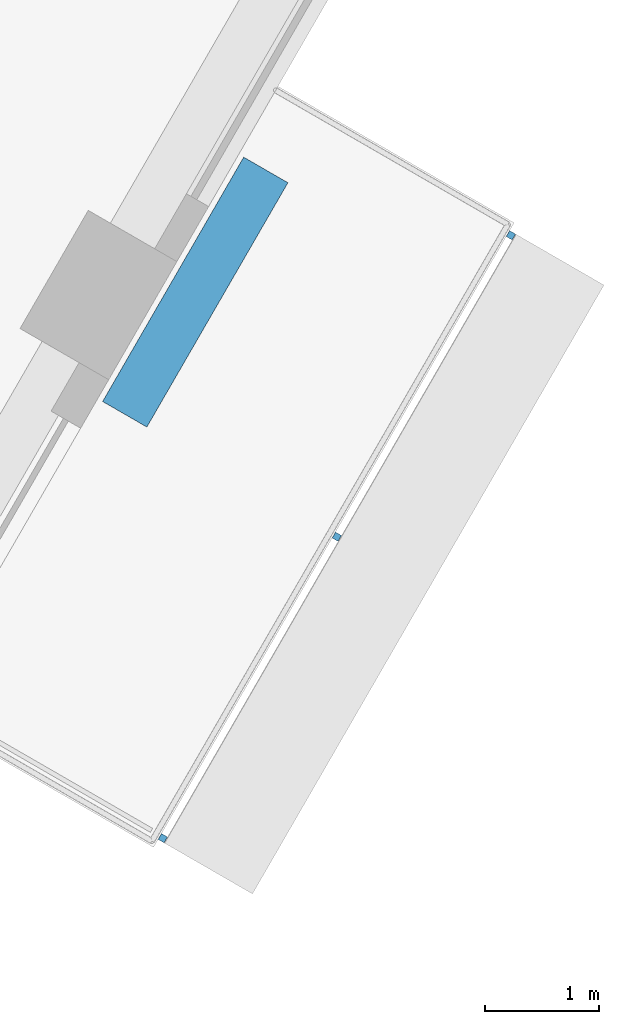
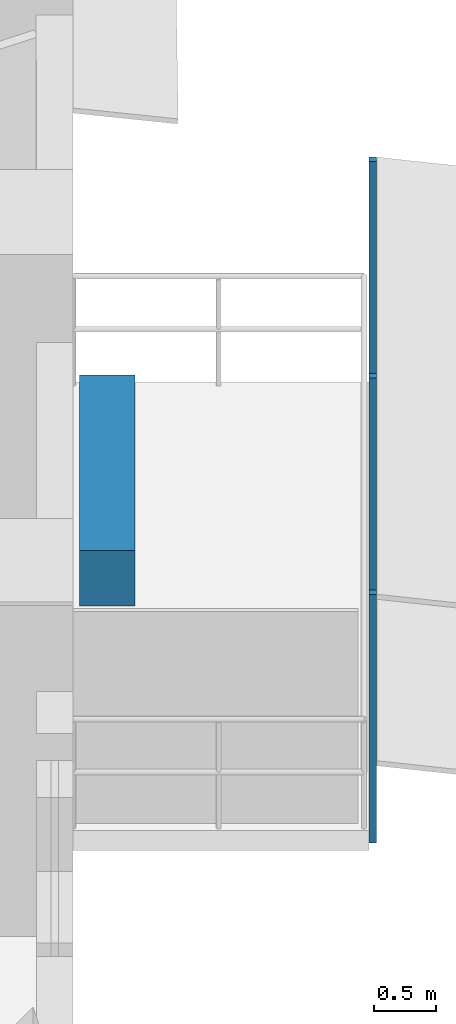
# One storey, part 11 of 15: 4 discrete accessories.
"""IFC4 building model written with IfcOpenShell, lengths in metres."""

import ifcopenshell
import ifcopenshell.guid

model = None  # the IFC model being written
_history = None  # IfcOwnerHistory: only IFC2X3 demands one
_inside = {}  # id of a spatial element -> (the spatial element, [elements in it])
_under = {}  # id of a project, library or spatial element -> (it, [spatial elements below it])
_declared = {}  # id of a project -> (the project, [libraries it declares])
_typed = {}  # id of a type object -> (the type object, [elements of that type])
_made_of = {}  # id of a material, layer set ... -> (it, [elements and type objects made of it])


def new_model(schema):
    """Start an empty IFC model of exactly this schema.

    Asked for "IFC4X3", IfcOpenShell would pick the latest addendum, in which some entities
    have other attributes; the version numbers below select the first issue.
    IFC2X3 requires an IfcOwnerHistory on every rooted entity: one is made here for all.
    """
    global model, _history
    if schema == "IFC4X3":
        model = ifcopenshell.file(schema_version=(4, 3, 0, 0))
    else:
        model = ifcopenshell.file(schema=schema)
    _inside.clear()
    _under.clear()
    _declared.clear()
    _typed.clear()
    _made_of.clear()
    _history = None
    if model.schema == "IFC2X3":
        org = make("IfcOrganization", Name="unknown")
        user = make(
            "IfcPersonAndOrganization",
            ThePerson=make("IfcPerson", FamilyName="unknown"),
            TheOrganization=org,
        )
        app = make(
            "IfcApplication",
            ApplicationDeveloper=org,
            Version="unknown",
            ApplicationFullName="unknown",
            ApplicationIdentifier="unknown",
        )
        _history = make(
            "IfcOwnerHistory",
            OwningUser=user,
            OwningApplication=app,
            ChangeAction="ADDED",
            CreationDate=0,
        )
    return model


def make(cls, **values):
    """One entity of the class cls with the attributes given. An attribute that is None is left unset."""
    return model.create_entity(
        cls, **{name: value for name, value in values.items() if value is not None}
    )


def rooted(cls, **values):
    """An entity with a GlobalId (a new one), such as an element, a storey or a relation."""
    return make(cls, GlobalId=ifcopenshell.guid.new(), OwnerHistory=_history, **values)


def si_unit(unit_type, name, prefix=None):
    """IfcSIUnit, for example si_unit("LENGTHUNIT", "METRE", prefix="MILLI")."""
    return make("IfcSIUnit", UnitType=unit_type, Prefix=prefix, Name=name)


def assignment(units):
    """IfcUnitAssignment: the units of a project."""
    return None if units is None else make("IfcUnitAssignment", Units=units)


def point(xyz):
    """IfcCartesianPoint."""
    return None if xyz is None else make("IfcCartesianPoint", Coordinates=xyz)


def direction(xyz):
    """IfcDirection."""
    return None if xyz is None else make("IfcDirection", DirectionRatios=xyz)


def frame(location, z_axis=None, x_axis=None):
    """IfcAxis2Placement3D, a coordinate frame: its origin and axes. An axis left out is left unset."""
    return make(
        "IfcAxis2Placement3D",
        Location=point(location),
        Axis=direction(z_axis),
        RefDirection=direction(x_axis),
    )


def frame_2d(location, x_axis=None):
    """IfcAxis2Placement2D, a coordinate frame in the plane: its origin and x axis."""
    return make(
        "IfcAxis2Placement2D", Location=point(location), RefDirection=direction(x_axis)
    )


def origin():
    """The frame at (0, 0, 0) with its axes left unset."""
    return frame((0.0, 0.0, 0.0))


def origin_2d():
    """The frame at (0, 0) in the plane with its x axis left unset."""
    return frame_2d((0.0, 0.0))


def place(relative_to, where):
    """IfcLocalPlacement: puts the frame where relative to a parent placement (None: the world)."""
    return make(
        "IfcLocalPlacement", PlacementRelTo=relative_to, RelativePlacement=where
    )


def context(
    kind, dimensions, precision=None, world=None, true_north=None, identifier=None
):
    """IfcGeometricRepresentationContext, for example the 3D "Model" context."""
    return make(
        "IfcGeometricRepresentationContext",
        ContextIdentifier=identifier,
        ContextType=kind,
        CoordinateSpaceDimension=dimensions,
        Precision=precision,
        WorldCoordinateSystem=world,
        TrueNorth=true_north,
    )


def subcontext(parent, identifier, kind, view, scale=None):
    """IfcGeometricRepresentationSubContext, for example "Body" below "Model"."""
    return make(
        "IfcGeometricRepresentationSubContext",
        ContextIdentifier=identifier,
        ContextType=kind,
        ParentContext=parent,
        TargetScale=scale,
        TargetView=view,
    )


def project(units=None, contexts=None):
    """IfcProject with its units and contexts."""
    return rooted(
        "IfcProject",
        Name="project",
        RepresentationContexts=contexts,
        UnitsInContext=assignment(units),
    )


def spatial(cls, under=None, at=None, **own):
    """A site, building, storey or space (cls), placed at a placement, below another one or the project."""
    s = rooted(cls, ObjectPlacement=at, **own)
    if under is not None:
        _under.setdefault(under.id(), (under, []))[1].append(s)
    return s


def profile(cls, at=None, kind="AREA", **sizes):
    """A parametric profile (cls). Its sizes go by their IFC names, for example OverallWidth=200.0."""
    return make(cls, ProfileType=kind, Position=at, **sizes)


def rectangle(**sizes):
    """IfcRectangleProfileDef."""
    return profile("IfcRectangleProfileDef", **sizes)


def extrude(swept, where, along, depth):
    """IfcExtrudedAreaSolid: the profile swept, set in the frame where, extruded along a direction by depth."""
    return make(
        "IfcExtrudedAreaSolid",
        SweptArea=swept,
        Position=where,
        ExtrudedDirection=direction(along),
        Depth=depth,
    )


def shape(context_of_items, identifier, shape_type, items):
    """IfcShapeRepresentation: the items that make up one representation, for example the "Body"."""
    return make(
        "IfcShapeRepresentation",
        ContextOfItems=context_of_items,
        RepresentationIdentifier=identifier,
        RepresentationType=shape_type,
        Items=items,
    )


def material(Name=None, Category=None):
    """IfcMaterial."""
    return make("IfcMaterial", Name=Name, Category=Category)


def made_of(thing, what):
    """Note that an element or type object is made of a material, layer set ...; save() writes the relation."""
    if what is not None:
        _made_of.setdefault(what.id(), (what, []))[1].append(thing)
    return thing


def type_object(cls, material=None, **own):
    """A type object (cls), such as IfcWallType, which elements share."""
    return made_of(rooted(cls, **own), material)


def element(
    cls,
    number,
    at=None,
    inside=None,
    cuts=None,
    type_object=None,
    material=None,
    context=None,
    identifier="Body",
    shape_type=None,
    held_by="IfcProductDefinitionShape",
    body=None,
    shapes=None,
    **own,
):
    """One element of the class cls, such as IfcWall. Its Tag is "e" and its number.

    at: its placement. inside: the storey or other place that contains it. cuts: it is an
    opening in that element (IfcRelVoidsElement). A single representation is given by context,
    identifier, shape_type and body (its items); several are given by shapes. held_by: the class
    of the entity that holds the representations. save() writes the other relations.
    """
    e = rooted(cls, Tag="e%d" % number, ObjectPlacement=at, **own)
    if body is not None:
        shapes = [shape(context, identifier, shape_type, body)]
    if shapes is not None:
        e.Representation = make(held_by, Representations=shapes)
    if inside is not None:
        _inside.setdefault(inside.id(), (inside, []))[1].append(e)
    if cuts is not None:
        rooted(
            "IfcRelVoidsElement", RelatingBuildingElement=cuts, RelatedOpeningElement=e
        )
    if type_object is not None:
        _typed.setdefault(type_object.id(), (type_object, []))[1].append(e)
    return made_of(e, material)


def aggregate(whole, parts):
    """IfcRelAggregates: a whole, such as a stair, and the parts it consists of."""
    return rooted("IfcRelAggregates", RelatingObject=whole, RelatedObjects=parts)


def save(model, path):
    """Write the relations noted so far, then the file.

    IfcRelAggregates (storeys below a building ...), IfcRelContainedInSpatialStructure (elements
    in a storey), IfcRelDefinesByType, IfcRelAssociatesMaterial and IfcRelDeclares: one each for
    every whole, place, type object, material and project.
    """
    for whole, parts in _under.values():
        aggregate(whole, parts)
    for where, things in _inside.values():
        rooted(
            "IfcRelContainedInSpatialStructure",
            RelatedElements=things,
            RelatingStructure=where,
        )
    for kind, things in _typed.values():
        rooted("IfcRelDefinesByType", RelatedObjects=things, RelatingType=kind)
    for what, things in _made_of.values():
        rooted("IfcRelAssociatesMaterial", RelatedObjects=things, RelatingMaterial=what)
    for by, libraries in _declared.values():
        rooted("IfcRelDeclares", RelatingContext=by, RelatedDefinitions=libraries)
    model.write(path)


model = new_model("IFC4")

# Units and contexts
model_context = context("Model", 3, precision=1e-05, world=origin(), true_north=direction((0.0, 1.0)))
body_context = subcontext(model_context, "Body", "Model", "MODEL_VIEW")
ifc_project = project(units=[si_unit("LENGTHUNIT", "METRE"), si_unit("AREAUNIT", "SQUARE_METRE"), si_unit("VOLUMEUNIT", "CUBIC_METRE"), si_unit("PLANEANGLEUNIT", "RADIAN"), si_unit("MASSUNIT", "GRAM", prefix="KILO")], contexts=[model_context])

# Site, building, storey
site_placement = place(None, origin())
site = spatial("IfcSite", under=ifc_project, at=site_placement, CompositionType="ELEMENT")
building_placement = place(site_placement, origin())
building = spatial("IfcBuilding", under=site, at=building_placement, Name="Nakaniwa Court", CompositionType="ELEMENT")
storey_placement = place(building_placement, frame((0.0, 0.0, 186.60009765625)))
storey = spatial("IfcBuildingStorey", under=building, at=storey_placement, Name="L48", CompositionType="ELEMENT", Elevation=186.60009765625)

# Discrete accessories
ifc_material_1 = material(Name="Black powder-coated steel bracket S275", Category="steel")
discrete_accessory_type_1 = type_object("IfcDiscreteAccessoryType", Name="Black metal louvre bracket", PredefinedType="BRACKET", material=ifc_material_1)
for number, where, z_axis, x_axis, name in (
    (1, (99.70556640625, 63.970947265625, -0.22998046875), (0.0, 0.0, 1.0), (0.500016626402, 0.866015804314, 0.0), "L48 louvre bracket 02 1"),
    (2, (101.237060546875, 66.62353515625, -0.22998046875), (0.0, 0.0, 1.0), (0.500016626402, 0.866015804314, 0.0), "L48 louvre bracket 02 2"),
    (3, (102.7685546875, 69.276123046875, -0.22998046875), (0.0, 0.0, 1.0), (0.500016626402, 0.866015804314, 0.0), "L48 louvre bracket 02 3"),
):
    element("IfcDiscreteAccessory", number, at=place(storey_placement, frame(where, z_axis=z_axis, x_axis=x_axis)), inside=storey, type_object=discrete_accessory_type_1, Name=name, PredefinedType="BRACKET", context=body_context, shape_type="SweptSolid", body=[
        extrude(rectangle(XDim=0.06005859375, YDim=0.06005859375, at=origin_2d()), origin(), (0.0, 0.0, 1.0), 2.46337890625),
    ])
ifc_material_2 = material(Name="Precast concrete C40/50 planter with planted soil", Category="concrete")
discrete_accessory_type_2 = type_object("IfcDiscreteAccessoryType", Name="Planter box charcoal concrete", PredefinedType="USERDEFINED", material=ifc_material_2)
discrete_accessory_placement = place(storey_placement, frame((99.991455078125, 68.776123046875, -0.05029296875), z_axis=(0.0, 0.0, 1.0), x_axis=(0.500016626402, 0.866015804314, 0.0)))
element("IfcDiscreteAccessory", 4, at=discrete_accessory_placement, inside=storey, type_object=discrete_accessory_type_2, Name="L48 balcony PLANTER 02", ObjectType="PLANTER", PredefinedType="USERDEFINED", context=body_context, shape_type="SweptSolid", body=[
    extrude(rectangle(XDim=2.48291015625, YDim=0.449951171875, at=origin_2d()), origin(), (0.0, 0.0, 1.0), 0.550048828125),
])

save(model, "model.ifc")
